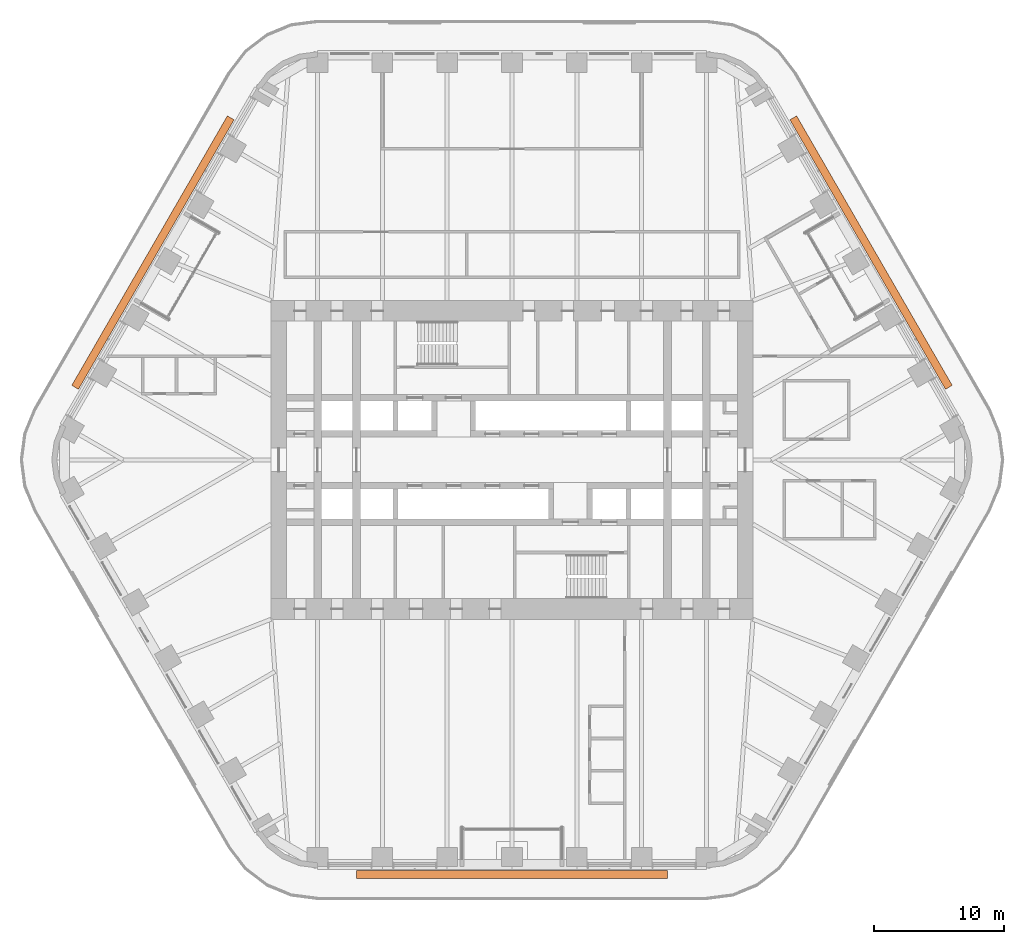
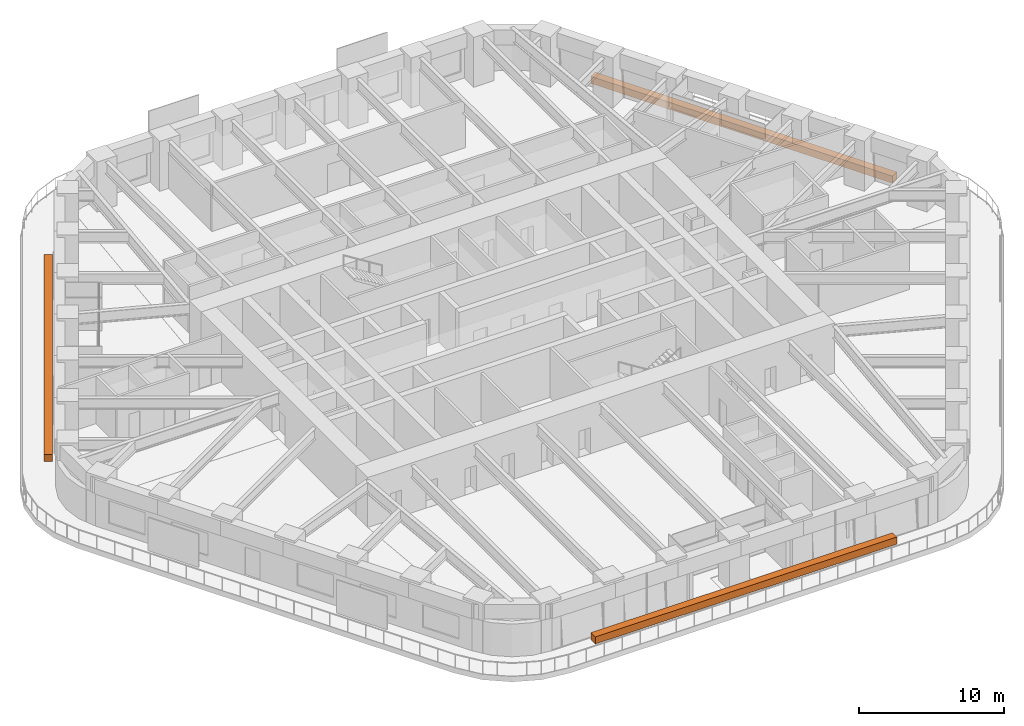
# One storey, part 24 of 24: 3 proxies.
"""IFC4 building model written with IfcOpenShell, lengths in metres."""

from ifc_helpers import new_model, si_unit, direction, frame, origin, origin_2d, place, context, subcontext, project, spatial, rectangle, extrude, material, element, save


model = new_model("IFC4")

# Units and contexts
model_context = context("Model", 3, precision=1e-05, world=origin(), true_north=direction((0.0, 1.0)))
body_context = subcontext(model_context, "Body", "Model", "MODEL_VIEW")
ifc_project = project(units=[si_unit("LENGTHUNIT", "METRE"), si_unit("AREAUNIT", "SQUARE_METRE"), si_unit("VOLUMEUNIT", "CUBIC_METRE"), si_unit("PLANEANGLEUNIT", "RADIAN"), si_unit("MASSUNIT", "GRAM", prefix="KILO")], contexts=[model_context])

# Site, building, storey
site_placement = place(None, origin())
site = spatial("IfcSite", under=ifc_project, at=site_placement, CompositionType="ELEMENT")
building_placement = place(site_placement, origin())
building = spatial("IfcBuilding", under=site, at=building_placement, Name="Tarfa Lantern Tower", CompositionType="ELEMENT")
storey_placement = place(building_placement, frame((0.0, 0.0, 144.699951171875)))
storey = spatial("IfcBuildingStorey", under=building, at=storey_placement, Name="L32", CompositionType="ELEMENT", Elevation=144.699951171875)

# Proxies
ifc_material = material(Name="Planting bed")
for number, where, z_axis, x_axis, name in (
    (1, (27.712890625, 16.0, 0.0), (0.0, 0.0, 1.0), (-0.5, 0.866025403784, 0.0), "Balcony planter"),
    (2, (-27.712890625, 16.0, 0.0), (0.0, 0.0, 1.0), (-0.5, -0.866025403784, 0.0), "Balcony planter"),
    (3, (0.0, -32.0, 0.0), (0.0, 0.0, 1.0), (1.0, 0.0, 0.0), "Balcony planter"),
):
    element("IfcBuildingElementProxy", number, at=place(storey_placement, frame(where, z_axis=z_axis, x_axis=x_axis)), inside=storey, material=ifc_material, Name=name, ObjectType="PLANTER", PredefinedType="USERDEFINED", context=body_context, shape_type="SweptSolid", body=[
        extrude(rectangle(XDim=24.017822265625, YDim=0.60009765625, at=origin_2d()), origin(), (0.0, 0.0, 1.0), 0.60009765625),
    ])

save(model, "model.ifc")
